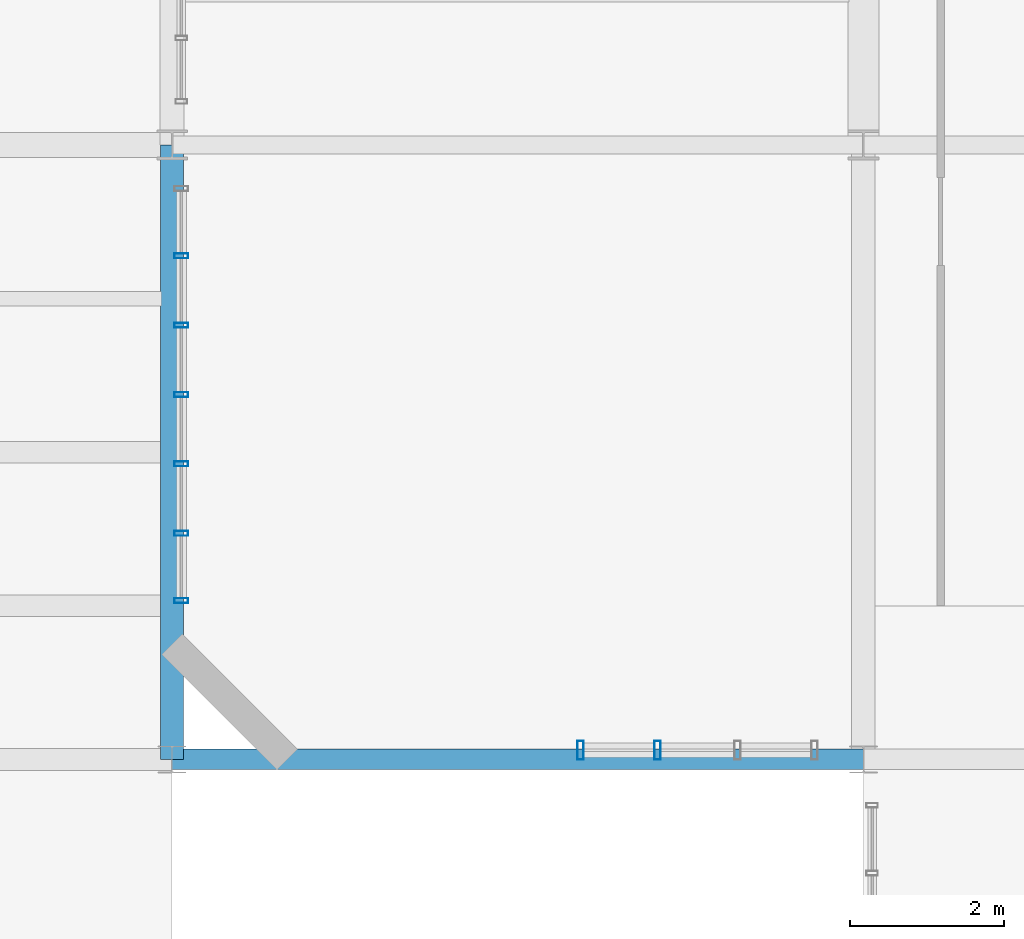
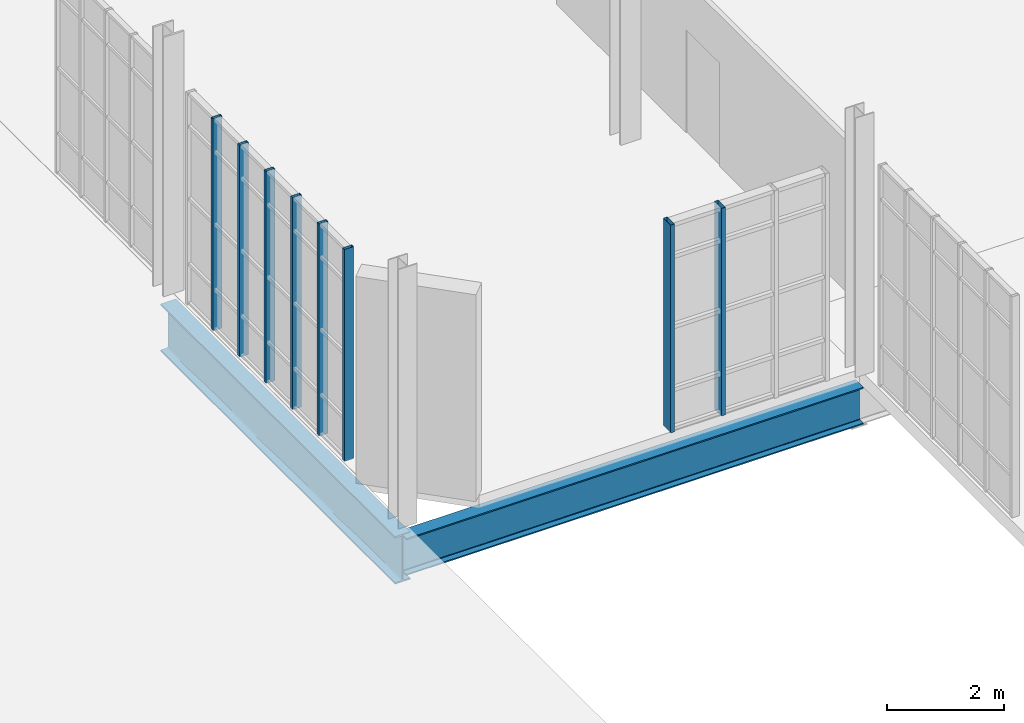
# One storey, part 67 of 189: 8 members, 2 beams, 2 elements without a shape of their own.
"""IFC4 building model written with IfcOpenShell, lengths in metres."""

from ifc_helpers import new_model, si_unit, direction, frame, origin, origin_2d, place, context, subcontext, project, spatial, hollow_rectangle, i_section, extrude, material, layer, layer_set, material_profile, profile_set, type_object, element, aggregate, save


model = new_model("IFC4")

# Units and contexts
model_context = context("Model", 3, precision=1e-05, world=origin(), true_north=direction((0.0, 1.0)))
body_context = subcontext(model_context, "Body", "Model", "MODEL_VIEW")
ifc_project = project(units=[si_unit("LENGTHUNIT", "METRE"), si_unit("AREAUNIT", "SQUARE_METRE"), si_unit("VOLUMEUNIT", "CUBIC_METRE"), si_unit("PLANEANGLEUNIT", "RADIAN"), si_unit("MASSUNIT", "GRAM", prefix="KILO"), si_unit("THERMODYNAMICTEMPERATUREUNIT", "KELVIN"), si_unit("POWERUNIT", "WATT")], contexts=[model_context])

# Site, building, storey
site_placement = place(None, origin())
site = spatial("IfcSite", under=ifc_project, at=site_placement, CompositionType="ELEMENT")
building_placement = place(site_placement, origin())
building = spatial("IfcBuilding", under=site, at=building_placement, Name="Zelmaris Science Centre", CompositionType="ELEMENT")
storey_placement = place(building_placement, origin())
storey = spatial("IfcBuildingStorey", under=building, at=storey_placement, Name="L00", CompositionType="ELEMENT", Elevation=0.0)

# Curtain wall, members
ifc_material_1 = material(Name="Anodised architectural aluminium 6063-T6", Category="aluminium")
ifc_layer_1 = layer(ifc_material_1, 0.2099609375, Name="Anodised architectural aluminium 6063-T6")
ifc_layer_set_1 = layer_set([ifc_layer_1], Name="Anodised architectural aluminium 6063-T6")
curtain_wall_type_1 = type_object("IfcCurtainWallType", Name="Curtain Wall CW-03", PredefinedType="USERDEFINED", material=ifc_layer_set_1)
curtain_wall_1_placement = place(storey_placement, origin())
curtain_wall_1 = element("IfcCurtainWall", 1, at=curtain_wall_1_placement, inside=storey, type_object=curtain_wall_type_1, Name="L00 Unitised curtain wall 79", ObjectType="GLAZED CURTAIN WALL", PredefinedType="USERDEFINED")
ifc_material_profile_1 = material_profile(ifc_material_1, hollow_rectangle(XDim=0.06494140625, YDim=0.179931640625, WallThickness=0.00390625, at=origin_2d()), Name="ALU-MUL-65X180")
ifc_profile_set_1 = profile_set([ifc_material_profile_1], Name="Anodised architectural aluminium 6063-T6")
member_type_1 = type_object("IfcMemberType", Name="ALU-MUL-65X180", PredefinedType="MULLION", material=ifc_profile_set_1)
member_1_placement = place(storey_placement, frame((90.1201171875, 66.068603515625, -0.014892578125), z_axis=(0.0, 0.0, 1.0), x_axis=(0.0, 1.0, 0.0)))
member_1 = element("IfcMember", 2, at=member_1_placement, type_object=member_type_1, Name="CW-03 mullion 1", PredefinedType="MULLION", context=body_context, shape_type="SweptSolid", body=[
    extrude(hollow_rectangle(XDim=0.06494140625, YDim=0.179931640625, WallThickness=0.00390625, at=origin_2d()), origin(), (0.0, 0.0, 1.0), 4.4169921875),
])
member_2_placement = place(storey_placement, frame((90.1201171875, 66.943359375, -0.014892578125), z_axis=(0.0, 0.0, 1.0), x_axis=(0.0, 1.0, 0.0)))
member_2 = element("IfcMember", 3, at=member_2_placement, type_object=member_type_1, Name="CW-03 mullion 2", PredefinedType="MULLION", context=body_context, shape_type="SweptSolid", body=[
    extrude(hollow_rectangle(XDim=0.06494140625, YDim=0.179931640625, WallThickness=0.00390625, at=origin_2d()), origin(), (0.0, 0.0, 1.0), 4.4169921875),
])
member_3_placement = place(storey_placement, frame((90.1201171875, 67.8466796875, -0.014892578125), z_axis=(0.0, 0.0, 1.0), x_axis=(0.0, 1.0, 0.0)))
member_3 = element("IfcMember", 4, at=member_3_placement, type_object=member_type_1, Name="CW-03 mullion 3", PredefinedType="MULLION", context=body_context, shape_type="SweptSolid", body=[
    extrude(hollow_rectangle(XDim=0.06494140625, YDim=0.179931640625, WallThickness=0.00390625, at=origin_2d()), origin(), (0.0, 0.0, 1.0), 4.4169921875),
])
member_4_placement = place(storey_placement, frame((90.1201171875, 68.75, -0.014892578125), z_axis=(0.0, 0.0, 1.0), x_axis=(0.0, 1.0, 0.0)))
member_4 = element("IfcMember", 5, at=member_4_placement, type_object=member_type_1, Name="CW-03 mullion 4", PredefinedType="MULLION", context=body_context, shape_type="SweptSolid", body=[
    extrude(hollow_rectangle(XDim=0.06494140625, YDim=0.179931640625, WallThickness=0.00390625, at=origin_2d()), origin(), (0.0, 0.0, 1.0), 4.4169921875),
])
member_5_placement = place(storey_placement, frame((90.1201171875, 69.6533203125, -0.014892578125), z_axis=(0.0, 0.0, 1.0), x_axis=(0.0, 1.0, 0.0)))
member_5 = element("IfcMember", 6, at=member_5_placement, type_object=member_type_1, Name="CW-03 mullion 5", PredefinedType="MULLION", context=body_context, shape_type="SweptSolid", body=[
    extrude(hollow_rectangle(XDim=0.06494140625, YDim=0.179931640625, WallThickness=0.00390625, at=origin_2d()), origin(), (0.0, 0.0, 1.0), 4.4169921875),
])
member_6_placement = place(storey_placement, frame((90.1201171875, 70.556640625, -0.014892578125), z_axis=(0.0, 0.0, 1.0), x_axis=(0.0, 1.0, 0.0)))
member_6 = element("IfcMember", 7, at=member_6_placement, type_object=member_type_1, Name="CW-03 mullion 6", PredefinedType="MULLION", context=body_context, shape_type="SweptSolid", body=[
    extrude(hollow_rectangle(XDim=0.06494140625, YDim=0.179931640625, WallThickness=0.00390625, at=origin_2d()), origin(), (0.0, 0.0, 1.0), 4.4169921875),
])
aggregate(curtain_wall_1, [member_1, member_2, member_3, member_4, member_5, member_6])

ifc_layer_2 = layer(ifc_material_1, 0.18994140625, Name="Anodised architectural aluminium 6063-T6")
ifc_layer_set_2 = layer_set([ifc_layer_2], Name="Anodised architectural aluminium 6063-T6")
curtain_wall_type_2 = type_object("IfcCurtainWallType", Name="Curtain Wall CW-01", PredefinedType="USERDEFINED", material=ifc_layer_set_2)
curtain_wall_2_placement = place(storey_placement, origin())
curtain_wall_2 = element("IfcCurtainWall", 8, at=curtain_wall_2_placement, inside=storey, type_object=curtain_wall_type_2, Name="L00 Unitised curtain wall 77", ObjectType="GLAZED CURTAIN WALL", PredefinedType="USERDEFINED")
ifc_material_profile_2 = material_profile(ifc_material_1, hollow_rectangle(XDim=0.080078125, YDim=0.25, WallThickness=0.0048828125, at=origin_2d()), Name="ALU-MUL-80X250")
ifc_profile_set_2 = profile_set([ifc_material_profile_2], Name="Anodised architectural aluminium 6063-T6")
member_type_2 = type_object("IfcMemberType", Name="ALU-MUL-80X250", PredefinedType="MULLION", material=ifc_profile_set_2)
member_7_placement = place(storey_placement, frame((96.320068359375, 64.1201171875, -0.014892578125), z_axis=(0.0, 0.0, 1.0), x_axis=(-0.999999999962, 8.726646e-06, 0.0)))
member_7 = element("IfcMember", 9, at=member_7_placement, type_object=member_type_2, Name="CW-01 mullion 3", PredefinedType="MULLION", context=body_context, shape_type="SweptSolid", body=[
    extrude(hollow_rectangle(XDim=0.080078125, YDim=0.25, WallThickness=0.0048828125, at=origin_2d()), origin(), (0.0, 0.0, 1.0), 4.322998046875),
])
member_8_placement = place(storey_placement, frame((95.31591796875, 64.1201171875, -0.014892578125), z_axis=(0.0, 0.0, 1.0), x_axis=(-0.999999999962, 8.726646e-06, 0.0)))
member_8 = element("IfcMember", 10, at=member_8_placement, type_object=member_type_2, Name="CW-01 mullion 4", PredefinedType="MULLION", context=body_context, shape_type="SweptSolid", body=[
    extrude(hollow_rectangle(XDim=0.080078125, YDim=0.25, WallThickness=0.0048828125, at=origin_2d()), origin(), (0.0, 0.0, 1.0), 4.322998046875),
])
aggregate(curtain_wall_2, [member_7, member_8])

# Beams
ifc_material_2 = material(Name="Steel ASTM A992 Grade 50", Category="steel")
ifc_material_profile_3 = material_profile(ifc_material_2, i_section(OverallWidth=0.26708984375, OverallDepth=0.77001953125, WebThickness=0.015625, FlangeThickness=0.025390625, FilletRadius=0.01904296875, at=origin_2d()), Name="W30X132")
ifc_profile_set_3 = profile_set([ifc_material_profile_3], Name="Steel ASTM A992 Grade 50")
beam_type_1 = type_object("IfcBeamType", Name="Beam G-09 W30X132", PredefinedType="BEAM", material=ifc_profile_set_3)
beam_1_placement = place(storey_placement, frame((90.0, 64.0, -0.675048828125), z_axis=(1.0, 0.0, 0.0), x_axis=(0.0, 1.0, 0.0)))
element("IfcBeam", 11, at=beam_1_placement, inside=storey, type_object=beam_type_1, Name="L00 East-west girder 159", PredefinedType="BEAM", context=body_context, shape_type="SweptSolid", body=[
    extrude(i_section(OverallWidth=0.26708984375, OverallDepth=0.77001953125, WebThickness=0.015625, FlangeThickness=0.025390625, FilletRadius=0.01904296875, at=origin_2d()), origin(), (0.0, 0.0, 1.0), 9.0),
])
ifc_material_profile_4 = material_profile(ifc_material_2, i_section(OverallWidth=0.300048828125, OverallDepth=0.990966796875, WebThickness=0.0166015625, FlangeThickness=0.030517578125, FilletRadius=0.02490234375, at=origin_2d()), Name="W40X183")
ifc_profile_set_4 = profile_set([ifc_material_profile_4], Name="Steel ASTM A992 Grade 50")
beam_type_2 = type_object("IfcBeamType", Name="Beam G-24 W40X183", PredefinedType="BEAM", material=ifc_profile_set_4)
beam_2_placement = place(storey_placement, frame((90.0, 64.0, -0.775390625), z_axis=(0.0, 1.0, 0.0), x_axis=(-1.0, 0.0, 0.0)))
element("IfcBeam", 12, at=beam_2_placement, inside=storey, type_object=beam_type_2, Name="L00 North-south girder 44", PredefinedType="BEAM", context=body_context, shape_type="SweptSolid", body=[
    extrude(i_section(OverallWidth=0.300048828125, OverallDepth=0.990966796875, WebThickness=0.0166015625, FlangeThickness=0.030517578125, FilletRadius=0.02490234375, at=origin_2d()), origin(), (0.0, 0.0, 1.0), 8.0),
])

save(model, "model.ifc")
